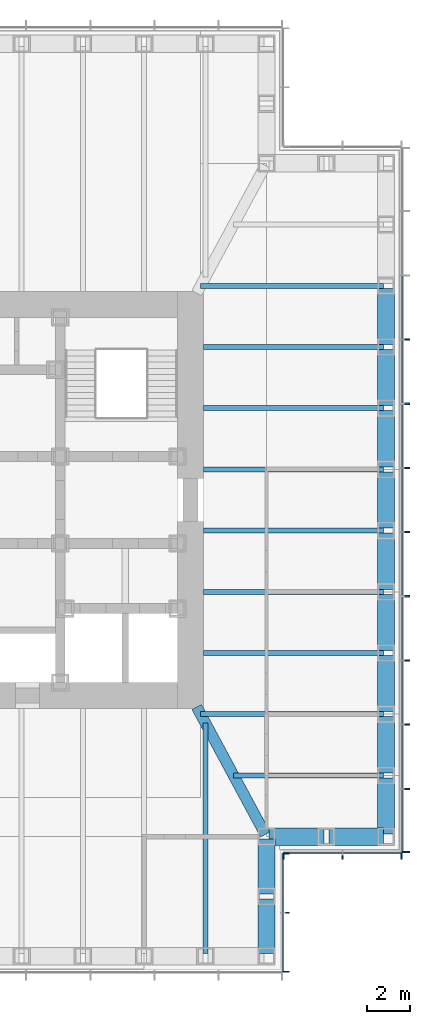
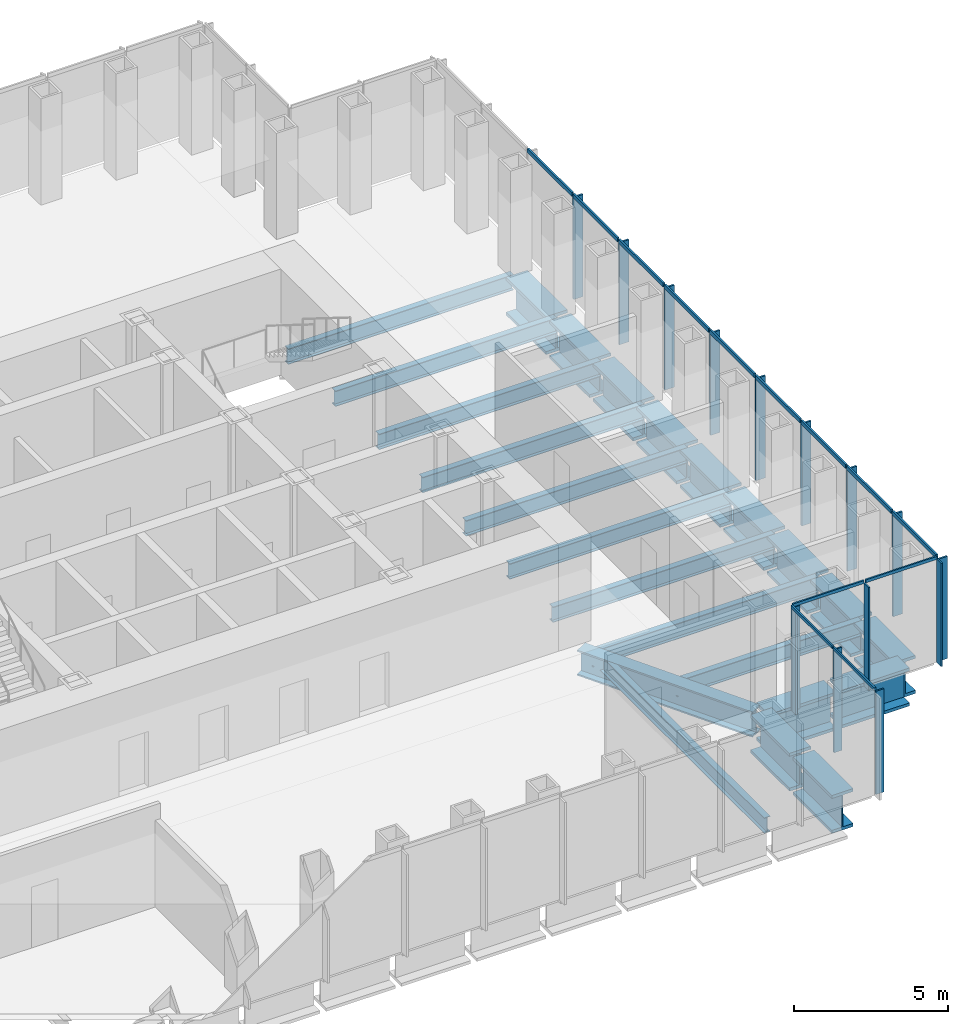
# One storey, part 4 of 16: 28 members, 24 beams, 3 elements without a shape of their own.
"""IFC4 building model written with IfcOpenShell, lengths in metres."""

import ifcopenshell
import ifcopenshell.guid

model = None  # the IFC model being written
_history = None  # IfcOwnerHistory: only IFC2X3 demands one
_inside = {}  # id of a spatial element -> (the spatial element, [elements in it])
_under = {}  # id of a project, library or spatial element -> (it, [spatial elements below it])
_declared = {}  # id of a project -> (the project, [libraries it declares])
_typed = {}  # id of a type object -> (the type object, [elements of that type])
_made_of = {}  # id of a material, layer set ... -> (it, [elements and type objects made of it])


def new_model(schema):
    """Start an empty IFC model of exactly this schema.

    Asked for "IFC4X3", IfcOpenShell would pick the latest addendum, in which some entities
    have other attributes; the version numbers below select the first issue.
    IFC2X3 requires an IfcOwnerHistory on every rooted entity: one is made here for all.
    """
    global model, _history
    if schema == "IFC4X3":
        model = ifcopenshell.file(schema_version=(4, 3, 0, 0))
    else:
        model = ifcopenshell.file(schema=schema)
    _inside.clear()
    _under.clear()
    _declared.clear()
    _typed.clear()
    _made_of.clear()
    _history = None
    if model.schema == "IFC2X3":
        org = make("IfcOrganization", Name="unknown")
        user = make(
            "IfcPersonAndOrganization",
            ThePerson=make("IfcPerson", FamilyName="unknown"),
            TheOrganization=org,
        )
        app = make(
            "IfcApplication",
            ApplicationDeveloper=org,
            Version="unknown",
            ApplicationFullName="unknown",
            ApplicationIdentifier="unknown",
        )
        _history = make(
            "IfcOwnerHistory",
            OwningUser=user,
            OwningApplication=app,
            ChangeAction="ADDED",
            CreationDate=0,
        )
    return model


def make(cls, **values):
    """One entity of the class cls with the attributes given. An attribute that is None is left unset."""
    return model.create_entity(
        cls, **{name: value for name, value in values.items() if value is not None}
    )


def rooted(cls, **values):
    """An entity with a GlobalId (a new one), such as an element, a storey or a relation."""
    return make(cls, GlobalId=ifcopenshell.guid.new(), OwnerHistory=_history, **values)


def si_unit(unit_type, name, prefix=None):
    """IfcSIUnit, for example si_unit("LENGTHUNIT", "METRE", prefix="MILLI")."""
    return make("IfcSIUnit", UnitType=unit_type, Prefix=prefix, Name=name)


def assignment(units):
    """IfcUnitAssignment: the units of a project."""
    return None if units is None else make("IfcUnitAssignment", Units=units)


def point(xyz):
    """IfcCartesianPoint."""
    return None if xyz is None else make("IfcCartesianPoint", Coordinates=xyz)


def direction(xyz):
    """IfcDirection."""
    return None if xyz is None else make("IfcDirection", DirectionRatios=xyz)


def frame(location, z_axis=None, x_axis=None):
    """IfcAxis2Placement3D, a coordinate frame: its origin and axes. An axis left out is left unset."""
    return make(
        "IfcAxis2Placement3D",
        Location=point(location),
        Axis=direction(z_axis),
        RefDirection=direction(x_axis),
    )


def frame_2d(location, x_axis=None):
    """IfcAxis2Placement2D, a coordinate frame in the plane: its origin and x axis."""
    return make(
        "IfcAxis2Placement2D", Location=point(location), RefDirection=direction(x_axis)
    )


def origin():
    """The frame at (0, 0, 0) with its axes left unset."""
    return frame((0.0, 0.0, 0.0))


def origin_2d():
    """The frame at (0, 0) in the plane with its x axis left unset."""
    return frame_2d((0.0, 0.0))


def place(relative_to, where):
    """IfcLocalPlacement: puts the frame where relative to a parent placement (None: the world)."""
    return make(
        "IfcLocalPlacement", PlacementRelTo=relative_to, RelativePlacement=where
    )


def context(
    kind, dimensions, precision=None, world=None, true_north=None, identifier=None
):
    """IfcGeometricRepresentationContext, for example the 3D "Model" context."""
    return make(
        "IfcGeometricRepresentationContext",
        ContextIdentifier=identifier,
        ContextType=kind,
        CoordinateSpaceDimension=dimensions,
        Precision=precision,
        WorldCoordinateSystem=world,
        TrueNorth=true_north,
    )


def subcontext(parent, identifier, kind, view, scale=None):
    """IfcGeometricRepresentationSubContext, for example "Body" below "Model"."""
    return make(
        "IfcGeometricRepresentationSubContext",
        ContextIdentifier=identifier,
        ContextType=kind,
        ParentContext=parent,
        TargetScale=scale,
        TargetView=view,
    )


def project(units=None, contexts=None):
    """IfcProject with its units and contexts."""
    return rooted(
        "IfcProject",
        Name="project",
        RepresentationContexts=contexts,
        UnitsInContext=assignment(units),
    )


def spatial(cls, under=None, at=None, **own):
    """A site, building, storey or space (cls), placed at a placement, below another one or the project."""
    s = rooted(cls, ObjectPlacement=at, **own)
    if under is not None:
        _under.setdefault(under.id(), (under, []))[1].append(s)
    return s


def profile(cls, at=None, kind="AREA", **sizes):
    """A parametric profile (cls). Its sizes go by their IFC names, for example OverallWidth=200.0."""
    return make(cls, ProfileType=kind, Position=at, **sizes)


def rectangle(**sizes):
    """IfcRectangleProfileDef."""
    return profile("IfcRectangleProfileDef", **sizes)


def i_section(**sizes):
    """IfcIShapeProfileDef."""
    return profile("IfcIShapeProfileDef", **sizes)


def extrude(swept, where, along, depth):
    """IfcExtrudedAreaSolid: the profile swept, set in the frame where, extruded along a direction by depth."""
    return make(
        "IfcExtrudedAreaSolid",
        SweptArea=swept,
        Position=where,
        ExtrudedDirection=direction(along),
        Depth=depth,
    )


def shape(context_of_items, identifier, shape_type, items):
    """IfcShapeRepresentation: the items that make up one representation, for example the "Body"."""
    return make(
        "IfcShapeRepresentation",
        ContextOfItems=context_of_items,
        RepresentationIdentifier=identifier,
        RepresentationType=shape_type,
        Items=items,
    )


def material(Name=None, Category=None):
    """IfcMaterial."""
    return make("IfcMaterial", Name=Name, Category=Category)


def material_profile(
    of_material, cross_section, Name=None, Category=None, Priority=None
):
    """IfcMaterialProfile: a cross section and its material."""
    return make(
        "IfcMaterialProfile",
        Name=Name,
        Material=of_material,
        Profile=cross_section,
        Priority=Priority,
        Category=Category,
    )


def profile_set(profiles, Name=None, composite=None):
    """IfcMaterialProfileSet."""
    return make(
        "IfcMaterialProfileSet",
        Name=Name,
        MaterialProfiles=profiles,
        CompositeProfile=composite,
    )


def made_of(thing, what):
    """Note that an element or type object is made of a material, layer set ...; save() writes the relation."""
    if what is not None:
        _made_of.setdefault(what.id(), (what, []))[1].append(thing)
    return thing


def type_object(cls, material=None, **own):
    """A type object (cls), such as IfcWallType, which elements share."""
    return made_of(rooted(cls, **own), material)


def element(
    cls,
    number,
    at=None,
    inside=None,
    cuts=None,
    type_object=None,
    material=None,
    context=None,
    identifier="Body",
    shape_type=None,
    held_by="IfcProductDefinitionShape",
    body=None,
    shapes=None,
    **own,
):
    """One element of the class cls, such as IfcWall. Its Tag is "e" and its number.

    at: its placement. inside: the storey or other place that contains it. cuts: it is an
    opening in that element (IfcRelVoidsElement). A single representation is given by context,
    identifier, shape_type and body (its items); several are given by shapes. held_by: the class
    of the entity that holds the representations. save() writes the other relations.
    """
    e = rooted(cls, Tag="e%d" % number, ObjectPlacement=at, **own)
    if body is not None:
        shapes = [shape(context, identifier, shape_type, body)]
    if shapes is not None:
        e.Representation = make(held_by, Representations=shapes)
    if inside is not None:
        _inside.setdefault(inside.id(), (inside, []))[1].append(e)
    if cuts is not None:
        rooted(
            "IfcRelVoidsElement", RelatingBuildingElement=cuts, RelatedOpeningElement=e
        )
    if type_object is not None:
        _typed.setdefault(type_object.id(), (type_object, []))[1].append(e)
    return made_of(e, material)


def aggregate(whole, parts):
    """IfcRelAggregates: a whole, such as a stair, and the parts it consists of."""
    return rooted("IfcRelAggregates", RelatingObject=whole, RelatedObjects=parts)


def save(model, path):
    """Write the relations noted so far, then the file.

    IfcRelAggregates (storeys below a building ...), IfcRelContainedInSpatialStructure (elements
    in a storey), IfcRelDefinesByType, IfcRelAssociatesMaterial and IfcRelDeclares: one each for
    every whole, place, type object, material and project.
    """
    for whole, parts in _under.values():
        aggregate(whole, parts)
    for where, things in _inside.values():
        rooted(
            "IfcRelContainedInSpatialStructure",
            RelatedElements=things,
            RelatingStructure=where,
        )
    for kind, things in _typed.values():
        rooted("IfcRelDefinesByType", RelatedObjects=things, RelatingType=kind)
    for what, things in _made_of.values():
        rooted("IfcRelAssociatesMaterial", RelatedObjects=things, RelatingMaterial=what)
    for by, libraries in _declared.values():
        rooted("IfcRelDeclares", RelatingContext=by, RelatedDefinitions=libraries)
    model.write(path)


model = new_model("IFC4")

# Units and contexts
model_context = context("Model", 3, precision=1e-05, world=origin(), true_north=direction((0.0, 1.0)))
body_context = subcontext(model_context, "Body", "Model", "MODEL_VIEW")
ifc_project = project(units=[si_unit("LENGTHUNIT", "METRE"), si_unit("AREAUNIT", "SQUARE_METRE"), si_unit("VOLUMEUNIT", "CUBIC_METRE"), si_unit("PLANEANGLEUNIT", "RADIAN"), si_unit("MASSUNIT", "GRAM", prefix="KILO")], contexts=[model_context])

# Site, building, storey
site_placement = place(None, origin())
site = spatial("IfcSite", under=ifc_project, at=site_placement, CompositionType="ELEMENT")
building_placement = place(site_placement, origin())
building = spatial("IfcBuilding", under=site, at=building_placement, Name="Daluyong Arena Tower", CompositionType="ELEMENT")
storey_placement = place(building_placement, frame((0.0, 0.0, 231.699951171875)))
storey = spatial("IfcBuildingStorey", under=building, at=storey_placement, Name="L52", CompositionType="ELEMENT", Elevation=231.699951171875)

# Curtain wall, members
ifc_material_1 = material(Name="Bronze anodised aluminium and glass", Category="aluminium")
curtain_wall_type_1 = type_object("IfcCurtainWallType", Name="Curtain wall CW3", PredefinedType="USERDEFINED", material=ifc_material_1)
curtain_wall_1_placement = place(storey_placement, origin())
curtain_wall_1 = element("IfcCurtainWall", 1, at=curtain_wall_1_placement, inside=storey, type_object=curtain_wall_type_1, Name="curtain wall L52 E", ObjectType="UNITISED CURTAIN WALL", PredefinedType="USERDEFINED")
ifc_material_2 = material(Name="Bronze anodised aluminium fin", Category="aluminium")
ifc_material_profile_1 = material_profile(ifc_material_2, rectangle(XDim=0.35009765625, YDim=0.070068359375, at=origin_2d()))
ifc_profile_set_1 = profile_set([ifc_material_profile_1], Name="Bronze anodised aluminium fin")
member_type_1 = type_object("IfcMemberType", Name="CW3 bronze fin 350x70", PredefinedType="MULLION", material=ifc_profile_set_1)
member_1_placement = place(storey_placement, frame((77.925048828125, 63.784912109375, 0.0), z_axis=(0.0, 0.0, 1.0), x_axis=(-1.0, 0.0, 0.0)))
member_1 = element("IfcMember", 2, at=member_1_placement, type_object=member_type_1, Name="curtain wall L52 E fin 1", PredefinedType="MULLION", context=body_context, shape_type="SweptSolid", body=[
    extrude(rectangle(XDim=0.35009765625, YDim=0.070068359375, at=origin_2d()), origin(), (0.0, 0.0, 1.0), 4.0400390625),
])
member_2_placement = place(storey_placement, frame((77.925048828125, 66.70458984375, 0.0), z_axis=(0.0, 0.0, 1.0), x_axis=(-1.0, 0.0, 0.0)))
member_2 = element("IfcMember", 3, at=member_2_placement, type_object=member_type_1, Name="curtain wall L52 E fin 2", PredefinedType="MULLION", context=body_context, shape_type="SweptSolid", body=[
    extrude(rectangle(XDim=0.35009765625, YDim=0.070068359375, at=origin_2d()), origin(), (0.0, 0.0, 1.0), 4.0400390625),
])
member_3_placement = place(storey_placement, frame((77.925048828125, 69.6591796875, 0.0), z_axis=(0.0, 0.0, 1.0), x_axis=(-1.0, 0.0, 0.0)))
member_3 = element("IfcMember", 4, at=member_3_placement, type_object=member_type_1, Name="curtain wall L52 E fin 3", PredefinedType="MULLION", context=body_context, shape_type="SweptSolid", body=[
    extrude(rectangle(XDim=0.35009765625, YDim=0.070068359375, at=origin_2d()), origin(), (0.0, 0.0, 1.0), 4.0400390625),
])
member_4_placement = place(storey_placement, frame((77.925048828125, 72.613525390625, 0.0), z_axis=(0.0, 0.0, 1.0), x_axis=(-1.0, 0.0, 0.0)))
member_4 = element("IfcMember", 5, at=member_4_placement, type_object=member_type_1, Name="curtain wall L52 E fin 4", PredefinedType="MULLION", context=body_context, shape_type="SweptSolid", body=[
    extrude(rectangle(XDim=0.35009765625, YDim=0.070068359375, at=origin_2d()), origin(), (0.0, 0.0, 1.0), 4.0400390625),
])
member_5_placement = place(storey_placement, frame((77.925048828125, 75.568115234375, 0.0), z_axis=(0.0, 0.0, 1.0), x_axis=(-1.0, 0.0, 0.0)))
member_5 = element("IfcMember", 6, at=member_5_placement, type_object=member_type_1, Name="curtain wall L52 E fin 5", PredefinedType="MULLION", context=body_context, shape_type="SweptSolid", body=[
    extrude(rectangle(XDim=0.35009765625, YDim=0.070068359375, at=origin_2d()), origin(), (0.0, 0.0, 1.0), 4.0400390625),
])
member_6_placement = place(storey_placement, frame((77.925048828125, 78.522705078125, 0.0), z_axis=(0.0, 0.0, 1.0), x_axis=(-1.0, 0.0, 0.0)))
member_6 = element("IfcMember", 7, at=member_6_placement, type_object=member_type_1, Name="curtain wall L52 E fin 6", PredefinedType="MULLION", context=body_context, shape_type="SweptSolid", body=[
    extrude(rectangle(XDim=0.35009765625, YDim=0.070068359375, at=origin_2d()), origin(), (0.0, 0.0, 1.0), 4.0400390625),
])
member_7_placement = place(storey_placement, frame((77.925048828125, 81.477294921875, 0.0), z_axis=(0.0, 0.0, 1.0), x_axis=(-1.0, 0.0, 0.0)))
member_7 = element("IfcMember", 8, at=member_7_placement, type_object=member_type_1, Name="curtain wall L52 E fin 7", PredefinedType="MULLION", context=body_context, shape_type="SweptSolid", body=[
    extrude(rectangle(XDim=0.35009765625, YDim=0.070068359375, at=origin_2d()), origin(), (0.0, 0.0, 1.0), 4.0400390625),
])
member_8_placement = place(storey_placement, frame((77.925048828125, 84.431884765625, 0.0), z_axis=(0.0, 0.0, 1.0), x_axis=(-1.0, 0.0, 0.0)))
member_8 = element("IfcMember", 9, at=member_8_placement, type_object=member_type_1, Name="curtain wall L52 E fin 8", PredefinedType="MULLION", context=body_context, shape_type="SweptSolid", body=[
    extrude(rectangle(XDim=0.35009765625, YDim=0.070068359375, at=origin_2d()), origin(), (0.0, 0.0, 1.0), 4.0400390625),
])
member_9_placement = place(storey_placement, frame((77.925048828125, 87.386474609375, 0.0), z_axis=(0.0, 0.0, 1.0), x_axis=(-1.0, 0.0, 0.0)))
member_9 = element("IfcMember", 10, at=member_9_placement, type_object=member_type_1, Name="curtain wall L52 E fin 9", PredefinedType="MULLION", context=body_context, shape_type="SweptSolid", body=[
    extrude(rectangle(XDim=0.35009765625, YDim=0.070068359375, at=origin_2d()), origin(), (0.0, 0.0, 1.0), 4.0400390625),
])
ifc_material_3 = material(Name="Bronze anodised aluminium", Category="aluminium")
ifc_material_profile_2 = material_profile(ifc_material_3, rectangle(XDim=0.070068359375, YDim=0.159912109375, at=origin_2d()))
ifc_profile_set_2 = profile_set([ifc_material_profile_2], Name="Bronze anodised aluminium")
member_type_2 = type_object("IfcMemberType", Name="CW3 stack transom 160x70", PredefinedType="USERDEFINED", material=ifc_profile_set_2)
member_10_placement = place(storey_placement, frame((77.75, 63.820068359375, 4.1201171875), z_axis=(0.0, 1.0, 0.0), x_axis=(-1.0, 0.0, 0.0)))
member_10 = element("IfcMember", 11, at=member_10_placement, type_object=member_type_2, Name="curtain wall L52 E transom 1", ObjectType="TRANSOM", PredefinedType="USERDEFINED", context=body_context, shape_type="SweptSolid", body=[
    extrude(rectangle(XDim=0.070068359375, YDim=0.159912109375, at=origin_2d()), origin(), (0.0, 0.0, 1.0), 2.849365234375),
])
member_11_placement = place(storey_placement, frame((77.75, 66.739501953125, 4.1201171875), z_axis=(0.0, 1.0, 0.0), x_axis=(-1.0, 0.0, 0.0)))
member_11 = element("IfcMember", 12, at=member_11_placement, type_object=member_type_2, Name="curtain wall L52 E transom 2", ObjectType="TRANSOM", PredefinedType="USERDEFINED", context=body_context, shape_type="SweptSolid", body=[
    extrude(rectangle(XDim=0.070068359375, YDim=0.159912109375, at=origin_2d()), origin(), (0.0, 0.0, 1.0), 2.884521484375),
])
member_12_placement = place(storey_placement, frame((77.75, 69.694091796875, 4.1201171875), z_axis=(0.0, 1.0, 0.0), x_axis=(-1.0, 0.0, 0.0)))
member_12 = element("IfcMember", 13, at=member_12_placement, type_object=member_type_2, Name="curtain wall L52 E transom 3", ObjectType="TRANSOM", PredefinedType="USERDEFINED", context=body_context, shape_type="SweptSolid", body=[
    extrude(rectangle(XDim=0.070068359375, YDim=0.159912109375, at=origin_2d()), origin(), (0.0, 0.0, 1.0), 2.884521484375),
])
member_13_placement = place(storey_placement, frame((77.75, 72.648681640625, 4.1201171875), z_axis=(0.0, 1.0, 0.0), x_axis=(-1.0, 0.0, 0.0)))
member_13 = element("IfcMember", 14, at=member_13_placement, type_object=member_type_2, Name="curtain wall L52 E transom 4", ObjectType="TRANSOM", PredefinedType="USERDEFINED", context=body_context, shape_type="SweptSolid", body=[
    extrude(rectangle(XDim=0.070068359375, YDim=0.159912109375, at=origin_2d()), origin(), (0.0, 0.0, 1.0), 2.884521484375),
])
member_14_placement = place(storey_placement, frame((77.75, 75.603271484375, 4.1201171875), z_axis=(0.0, 1.0, 0.0), x_axis=(-1.0, 0.0, 0.0)))
member_14 = element("IfcMember", 15, at=member_14_placement, type_object=member_type_2, Name="curtain wall L52 E transom 5", ObjectType="TRANSOM", PredefinedType="USERDEFINED", context=body_context, shape_type="SweptSolid", body=[
    extrude(rectangle(XDim=0.070068359375, YDim=0.159912109375, at=origin_2d()), origin(), (0.0, 0.0, 1.0), 2.884521484375),
])
member_15_placement = place(storey_placement, frame((77.75, 78.5576171875, 4.1201171875), z_axis=(0.0, 1.0, 0.0), x_axis=(-1.0, 0.0, 0.0)))
member_15 = element("IfcMember", 16, at=member_15_placement, type_object=member_type_2, Name="curtain wall L52 E transom 6", ObjectType="TRANSOM", PredefinedType="USERDEFINED", context=body_context, shape_type="SweptSolid", body=[
    extrude(rectangle(XDim=0.070068359375, YDim=0.159912109375, at=origin_2d()), origin(), (0.0, 0.0, 1.0), 2.884765625),
])
member_16_placement = place(storey_placement, frame((77.75, 81.51220703125, 4.1201171875), z_axis=(0.0, 1.0, 0.0), x_axis=(-1.0, 0.0, 0.0)))
member_16 = element("IfcMember", 17, at=member_16_placement, type_object=member_type_2, Name="curtain wall L52 E transom 7", ObjectType="TRANSOM", PredefinedType="USERDEFINED", context=body_context, shape_type="SweptSolid", body=[
    extrude(rectangle(XDim=0.070068359375, YDim=0.159912109375, at=origin_2d()), origin(), (0.0, 0.0, 1.0), 2.884521484375),
])
member_17_placement = place(storey_placement, frame((77.75, 84.466796875, 4.1201171875), z_axis=(0.0, 1.0, 0.0), x_axis=(-1.0, 0.0, 0.0)))
member_17 = element("IfcMember", 18, at=member_17_placement, type_object=member_type_2, Name="curtain wall L52 E transom 8", ObjectType="TRANSOM", PredefinedType="USERDEFINED", context=body_context, shape_type="SweptSolid", body=[
    extrude(rectangle(XDim=0.070068359375, YDim=0.159912109375, at=origin_2d()), origin(), (0.0, 0.0, 1.0), 2.884521484375),
])
member_18_placement = place(storey_placement, frame((77.75, 87.42138671875, 4.1201171875), z_axis=(0.0, 1.0, 0.0), x_axis=(-1.0, 0.0, 0.0)))
member_18 = element("IfcMember", 19, at=member_18_placement, type_object=member_type_2, Name="curtain wall L52 E transom 9", ObjectType="TRANSOM", PredefinedType="USERDEFINED", context=body_context, shape_type="SweptSolid", body=[
    extrude(rectangle(XDim=0.070068359375, YDim=0.159912109375, at=origin_2d()), origin(), (0.0, 0.0, 1.0), 2.884521484375),
])
aggregate(curtain_wall_1, [member_1, member_2, member_3, member_4, member_5, member_6, member_7, member_8, member_9, member_10, member_11, member_12, member_13, member_14, member_15, member_16, member_17, member_18])

ifc_material_4 = material(Name="Bronze anodised aluminium and glass", Category="aluminium")
curtain_wall_type_2 = type_object("IfcCurtainWallType", Name="Curtain wall CW7", PredefinedType="USERDEFINED", material=ifc_material_4)
curtain_wall_2_placement = place(storey_placement, origin())
curtain_wall_2 = element("IfcCurtainWall", 20, at=curtain_wall_2_placement, inside=storey, type_object=curtain_wall_type_2, Name="curtain wall L52 SE-E", ObjectType="UNITISED CURTAIN WALL", PredefinedType="USERDEFINED")
ifc_material_5 = material(Name="Bronze anodised aluminium fin", Category="aluminium")
ifc_material_profile_3 = material_profile(ifc_material_5, rectangle(XDim=0.300048828125, YDim=0.06005859375, at=origin_2d()))
ifc_profile_set_3 = profile_set([ifc_material_profile_3], Name="Bronze anodised aluminium fin")
member_type_3 = type_object("IfcMemberType", Name="CW7 bronze fin 300x60", PredefinedType="MULLION", material=ifc_profile_set_3)
member_19_placement = place(storey_placement, frame((72.39990234375, 58.280029296875, 0.0), z_axis=(0.0, 0.0, 1.0), x_axis=(-1.0, 0.0, 0.0)))
member_19 = element("IfcMember", 21, at=member_19_placement, type_object=member_type_3, Name="curtain wall L52 SE-E fin 1", PredefinedType="MULLION", context=body_context, shape_type="SweptSolid", body=[
    extrude(rectangle(XDim=0.300048828125, YDim=0.06005859375, at=origin_2d()), origin(), (0.0, 0.0, 1.0), 4.080078125),
])
member_20_placement = place(storey_placement, frame((72.39990234375, 61.0, 0.0), z_axis=(0.0, 0.0, 1.0), x_axis=(-1.0, 0.0, 0.0)))
member_20 = element("IfcMember", 22, at=member_20_placement, type_object=member_type_3, Name="curtain wall L52 SE-E fin 2", PredefinedType="MULLION", context=body_context, shape_type="SweptSolid", body=[
    extrude(rectangle(XDim=0.300048828125, YDim=0.06005859375, at=origin_2d()), origin(), (0.0, 0.0, 1.0), 4.080078125),
])
member_21_placement = place(storey_placement, frame((72.39990234375, 63.719970703125, 0.0), z_axis=(0.0, 0.0, 1.0), x_axis=(-1.0, 0.0, 0.0)))
member_21 = element("IfcMember", 23, at=member_21_placement, type_object=member_type_3, Name="curtain wall L52 SE-E fin 3", PredefinedType="MULLION", context=body_context, shape_type="SweptSolid", body=[
    extrude(rectangle(XDim=0.300048828125, YDim=0.06005859375, at=origin_2d()), origin(), (0.0, 0.0, 1.0), 4.080078125),
])

curtain_wall_3_placement = place(storey_placement, origin())
curtain_wall_3 = element("IfcCurtainWall", 24, at=curtain_wall_3_placement, inside=storey, type_object=curtain_wall_type_2, Name="curtain wall L52 SE-S", ObjectType="UNITISED CURTAIN WALL", PredefinedType="USERDEFINED")
member_22_placement = place(storey_placement, frame((72.280029296875, 63.60009765625, 0.0), z_axis=(0.0, 0.0, 1.0), x_axis=(0.0, 1.0, 0.0)))
member_22 = element("IfcMember", 25, at=member_22_placement, type_object=member_type_3, Name="curtain wall L52 SE-S fin 1", PredefinedType="MULLION", context=body_context, shape_type="SweptSolid", body=[
    extrude(rectangle(XDim=0.300048828125, YDim=0.06005859375, at=origin_2d()), origin(), (0.0, 0.0, 1.0), 4.080078125),
])
member_23_placement = place(storey_placement, frame((75.0, 63.60009765625, 0.0), z_axis=(0.0, 0.0, 1.0), x_axis=(0.0, 1.0, 0.0)))
member_23 = element("IfcMember", 26, at=member_23_placement, type_object=member_type_3, Name="curtain wall L52 SE-S fin 2", PredefinedType="MULLION", context=body_context, shape_type="SweptSolid", body=[
    extrude(rectangle(XDim=0.300048828125, YDim=0.06005859375, at=origin_2d()), origin(), (0.0, 0.0, 1.0), 4.080078125),
])
member_24_placement = place(storey_placement, frame((77.719970703125, 63.60009765625, 0.0), z_axis=(0.0, 0.0, 1.0), x_axis=(0.0, 1.0, 0.0)))
member_24 = element("IfcMember", 27, at=member_24_placement, type_object=member_type_3, Name="curtain wall L52 SE-S fin 3", PredefinedType="MULLION", context=body_context, shape_type="SweptSolid", body=[
    extrude(rectangle(XDim=0.300048828125, YDim=0.06005859375, at=origin_2d()), origin(), (0.0, 0.0, 1.0), 4.080078125),
])

# Member
ifc_material_6 = material(Name="Bronze anodised aluminium", Category="aluminium")
ifc_material_profile_4 = material_profile(ifc_material_6, rectangle(XDim=0.06005859375, YDim=0.1201171875, at=origin_2d()))
ifc_profile_set_4 = profile_set([ifc_material_profile_4], Name="Bronze anodised aluminium")
member_type_4 = type_object("IfcMemberType", Name="CW7 stack transom 120x60", PredefinedType="USERDEFINED", material=ifc_profile_set_4)
member_25_placement = place(storey_placement, frame((72.25, 58.31005859375, 4.14013671875), z_axis=(0.0, 1.0, 0.0), x_axis=(-1.0, 0.0, 0.0)))
member_25 = element("IfcMember", 28, at=member_25_placement, type_object=member_type_4, Name="curtain wall L52 SE-E transom 1", ObjectType="TRANSOM", PredefinedType="USERDEFINED", context=body_context, shape_type="SweptSolid", body=[
    extrude(rectangle(XDim=0.06005859375, YDim=0.1201171875, at=origin_2d()), origin(), (0.0, 0.0, 1.0), 2.659912109375),
])

member_26_placement = place(storey_placement, frame((72.25, 61.030029296875, 4.14013671875), z_axis=(0.0, 1.0, 0.0), x_axis=(-1.0, 0.0, 0.0)))
member_26 = element("IfcMember", 29, at=member_26_placement, type_object=member_type_4, Name="curtain wall L52 SE-E transom 2", ObjectType="TRANSOM", PredefinedType="USERDEFINED", context=body_context, shape_type="SweptSolid", body=[
    extrude(rectangle(XDim=0.06005859375, YDim=0.1201171875, at=origin_2d()), origin(), (0.0, 0.0, 1.0), 2.659912109375),
])

aggregate(curtain_wall_2, [member_19, member_20, member_21, member_25, member_26])

member_27_placement = place(storey_placement, frame((72.31005859375, 63.75, 4.14013671875), z_axis=(1.0, 0.0, 0.0), x_axis=(0.0, 1.0, 0.0)))
member_27 = element("IfcMember", 30, at=member_27_placement, type_object=member_type_4, Name="curtain wall L52 SE-S transom 1", ObjectType="TRANSOM", PredefinedType="USERDEFINED", context=body_context, shape_type="SweptSolid", body=[
    extrude(rectangle(XDim=0.06005859375, YDim=0.1201171875, at=origin_2d()), origin(), (0.0, 0.0, 1.0), 2.659912109375),
])

member_28_placement = place(storey_placement, frame((75.030029296875, 63.75, 4.14013671875), z_axis=(1.0, 0.0, 0.0), x_axis=(0.0, 1.0, 0.0)))
member_28 = element("IfcMember", 31, at=member_28_placement, type_object=member_type_4, Name="curtain wall L52 SE-S transom 2", ObjectType="TRANSOM", PredefinedType="USERDEFINED", context=body_context, shape_type="SweptSolid", body=[
    extrude(rectangle(XDim=0.06005859375, YDim=0.1201171875, at=origin_2d()), origin(), (0.0, 0.0, 1.0), 2.659912109375),
])

aggregate(curtain_wall_3, [member_22, member_23, member_24, member_27, member_28])

# Beams
ifc_material_7 = material(Name="Steel ASTM A572 Grade 50", Category="steel")
ifc_material_profile_5 = material_profile(ifc_material_7, i_section(OverallWidth=0.5, OverallDepth=1.0, WebThickness=0.03, FlangeThickness=0.06, at=origin_2d()))
ifc_profile_set_5 = profile_set([ifc_material_profile_5], Name="Steel ASTM A572 Grade 50")
beam_type_1 = type_object("IfcBeamType", Name="Corner girder TB1000X500", PredefinedType="BEAM", material=ifc_profile_set_5)
beam_1_placement = place(storey_placement, frame((71.445556640625, 64.601318359375, -0.659912109375), z_axis=(-0.474119475266, 0.880460517669, 0.0), x_axis=(-0.880460517669, -0.474119475266, 0.0)))
element("IfcBeam", 32, at=beam_1_placement, inside=storey, type_object=beam_type_1, Name="corner girder DG2", PredefinedType="BEAM", context=body_context, shape_type="SweptSolid", body=[
    extrude(i_section(OverallWidth=0.5, OverallDepth=1.0, WebThickness=0.03, FlangeThickness=0.06, at=origin_2d()), origin(), (0.0, 0.0, 1.0), 6.66748046875),
])
ifc_material_8 = material(Name="Steel ASTM A992 Grade 50", Category="steel")
ifc_material_profile_6 = material_profile(ifc_material_8, i_section(OverallWidth=0.22900390625, OverallDepth=0.612060546875, WebThickness=0.011962890625, FlangeThickness=0.01953125, at=origin_2d()))
ifc_profile_set_6 = profile_set([ifc_material_profile_6], Name="Steel ASTM A992 Grade 50")
beam_type_2 = type_object("IfcBeamType", Name="Floor beam W24X84", PredefinedType="BEAM", material=ifc_profile_set_6)
beam_2_placement = place(storey_placement, frame((68.681884765625, 59.114990234375, -0.466064453125), z_axis=(0.0, 1.0, 0.0), x_axis=(-1.0, 0.0, 0.0)))
element("IfcBeam", 33, at=beam_2_placement, inside=storey, type_object=beam_type_2, Name="floor beam FB3", PredefinedType="BEAM", context=body_context, shape_type="SweptSolid", body=[
    extrude(i_section(OverallWidth=0.22900390625, OverallDepth=0.612060546875, WebThickness=0.011962890625, FlangeThickness=0.01953125, at=origin_2d()), origin(), (0.0, 0.0, 1.0), 10.618896484375),
])
beam_3_placement = place(storey_placement, frame((76.885009765625, 67.318115234375, -0.466064453125), z_axis=(-1.0, 0.0, 0.0), x_axis=(0.0, -1.0, 0.0)))
element("IfcBeam", 34, at=beam_3_placement, inside=storey, type_object=beam_type_2, Name="floor beam FB3", PredefinedType="BEAM", context=body_context, shape_type="SweptSolid", body=[
    extrude(i_section(OverallWidth=0.22900390625, OverallDepth=0.612060546875, WebThickness=0.011962890625, FlangeThickness=0.01953125, at=origin_2d()), origin(), (0.0, 0.0, 1.0), 6.902587890625),
])
beam_4_placement = place(storey_placement, frame((76.885009765625, 70.136474609375, -0.466064453125), z_axis=(-1.0, 0.0, 0.0), x_axis=(0.0, -1.0, 0.0)))
element("IfcBeam", 35, at=beam_4_placement, inside=storey, type_object=beam_type_2, Name="floor beam FB3", PredefinedType="BEAM", context=body_context, shape_type="SweptSolid", body=[
    extrude(i_section(OverallWidth=0.22900390625, OverallDepth=0.612060546875, WebThickness=0.011962890625, FlangeThickness=0.01953125, at=origin_2d()), origin(), (0.0, 0.0, 1.0), 8.419921875),
])
for number, where, z_axis, x_axis, name in (
    (36, (76.885009765625, 72.95458984375, -0.466064453125), (-1.0, 0.0, 0.0), (0.0, -1.0, 0.0), "floor beam FB3"),
    (37, (76.885009765625, 75.772705078125, -0.466064453125), (-1.0, 0.0, 0.0), (0.0, -1.0, 0.0), "floor beam FB3"),
    (38, (76.885009765625, 78.5908203125, -0.466064453125), (-1.0, 0.0, 0.0), (0.0, -1.0, 0.0), "floor beam FB3"),
    (39, (76.885009765625, 81.4091796875, -0.466064453125), (-1.0, 0.0, 0.0), (0.0, -1.0, 0.0), "floor beam FB3"),
    (40, (76.885009765625, 84.227294921875, -0.466064453125), (-1.0, 0.0, 0.0), (0.0, -1.0, 0.0), "floor beam FB3"),
    (41, (76.885009765625, 87.04541015625, -0.466064453125), (-1.0, 0.0, 0.0), (0.0, -1.0, 0.0), "floor beam FB3"),
):
    element("IfcBeam", number, at=place(storey_placement, frame(where, z_axis=z_axis, x_axis=x_axis)), inside=storey, type_object=beam_type_2, Name=name, PredefinedType="BEAM", context=body_context, shape_type="SweptSolid", body=[
        extrude(i_section(OverallWidth=0.22900390625, OverallDepth=0.612060546875, WebThickness=0.011962890625, FlangeThickness=0.01953125, at=origin_2d()), origin(), (0.0, 0.0, 1.0), 8.284912109375),
    ])
beam_5_placement = place(storey_placement, frame((76.885009765625, 89.863525390625, -0.466064453125), z_axis=(-1.0, 0.0, 0.0), x_axis=(0.0, -1.0, 0.0)))
element("IfcBeam", 42, at=beam_5_placement, inside=storey, type_object=beam_type_2, Name="floor beam FB3", PredefinedType="BEAM", context=body_context, shape_type="SweptSolid", body=[
    extrude(i_section(OverallWidth=0.22900390625, OverallDepth=0.612060546875, WebThickness=0.011962890625, FlangeThickness=0.01953125, at=origin_2d()), origin(), (0.0, 0.0, 1.0), 8.419921875),
])
ifc_material_9 = material(Name="Steel ASTM A588 Grade 50", Category="steel")
ifc_material_profile_7 = material_profile(ifc_material_9, i_section(OverallWidth=0.800048828125, OverallDepth=1.5, WebThickness=0.05, FlangeThickness=0.12, at=origin_2d()))
ifc_profile_set_7 = profile_set([ifc_material_profile_7], Name="Steel ASTM A588 Grade 50")
beam_type_3 = type_object("IfcBeamType", Name="Spandrel Z3 PG1500X800", PredefinedType="SPANDREL", material=ifc_profile_set_7)
for number, where, z_axis, x_axis, name in (
    (43, (71.5, 59.114990234375, -0.909912109375), (0.0, 1.0, 0.0), (-1.0, 0.0, 0.0), "spandrel z3 SB7"),
    (44, (71.5, 61.864990234375, -0.909912109375), (0.0, 1.0, 0.0), (-1.0, 0.0, 0.0), "spandrel z3 SB7"),
    (45, (71.614990234375, 64.5, -0.909912109375), (1.0, 0.0, 0.0), (0.0, 1.0, 0.0), "spandrel z3 SB7"),
    (46, (74.364990234375, 64.5, -0.909912109375), (1.0, 0.0, 0.0), (0.0, 1.0, 0.0), "spandrel z3 SB7"),
):
    element("IfcBeam", number, at=place(storey_placement, frame(where, z_axis=z_axis, x_axis=x_axis)), inside=storey, type_object=beam_type_3, Name=name, PredefinedType="SPANDREL", context=body_context, shape_type="SweptSolid", body=[
        extrude(i_section(OverallWidth=0.800048828125, OverallDepth=1.5, WebThickness=0.05, FlangeThickness=0.12, at=origin_2d()), origin(), (0.0, 0.0, 1.0), 2.52001953125),
    ])
beam_6_placement = place(storey_placement, frame((77.0, 64.614990234375, -0.909912109375), z_axis=(0.0, 1.0, 0.0), x_axis=(-1.0, 0.0, 0.0)))
element("IfcBeam", 47, at=beam_6_placement, inside=storey, type_object=beam_type_3, Name="spandrel z3 SB7", PredefinedType="SPANDREL", context=body_context, shape_type="SweptSolid", body=[
    extrude(i_section(OverallWidth=0.800048828125, OverallDepth=1.5, WebThickness=0.05, FlangeThickness=0.12, at=origin_2d()), origin(), (0.0, 0.0, 1.0), 2.588134765625),
])
beam_7_placement = place(storey_placement, frame((77.0, 67.43310546875, -0.909912109375), z_axis=(0.0, 1.0, 0.0), x_axis=(-1.0, 0.0, 0.0)))
element("IfcBeam", 48, at=beam_7_placement, inside=storey, type_object=beam_type_3, Name="spandrel z3 SB7", PredefinedType="SPANDREL", context=body_context, shape_type="SweptSolid", body=[
    extrude(i_section(OverallWidth=0.800048828125, OverallDepth=1.5, WebThickness=0.05, FlangeThickness=0.12, at=origin_2d()), origin(), (0.0, 0.0, 1.0), 2.58837890625),
])
for number, where, z_axis, x_axis, name in (
    (49, (77.0, 70.25146484375, -0.909912109375), (0.0, 1.0, 0.0), (-1.0, 0.0, 0.0), "spandrel z3 SB7"),
    (50, (77.0, 73.069580078125, -0.909912109375), (0.0, 1.0, 0.0), (-1.0, 0.0, 0.0), "spandrel z3 SB7"),
    (51, (77.0, 75.8876953125, -0.909912109375), (0.0, 1.0, 0.0), (-1.0, 0.0, 0.0), "spandrel z3 SB7"),
):
    element("IfcBeam", number, at=place(storey_placement, frame(where, z_axis=z_axis, x_axis=x_axis)), inside=storey, type_object=beam_type_3, Name=name, PredefinedType="SPANDREL", context=body_context, shape_type="SweptSolid", body=[
        extrude(i_section(OverallWidth=0.800048828125, OverallDepth=1.5, WebThickness=0.05, FlangeThickness=0.12, at=origin_2d()), origin(), (0.0, 0.0, 1.0), 2.588134765625),
    ])
beam_8_placement = place(storey_placement, frame((77.0, 78.705810546875, -0.909912109375), z_axis=(0.0, 1.0, 0.0), x_axis=(-1.0, 0.0, 0.0)))
element("IfcBeam", 52, at=beam_8_placement, inside=storey, type_object=beam_type_3, Name="spandrel z3 SB7", PredefinedType="SPANDREL", context=body_context, shape_type="SweptSolid", body=[
    extrude(i_section(OverallWidth=0.800048828125, OverallDepth=1.5, WebThickness=0.05, FlangeThickness=0.12, at=origin_2d()), origin(), (0.0, 0.0, 1.0), 2.58837890625),
])
for number, where, z_axis, x_axis, name in (
    (53, (77.0, 81.524169921875, -0.909912109375), (0.0, 1.0, 0.0), (-1.0, 0.0, 0.0), "spandrel z3 SB7"),
    (54, (77.0, 84.34228515625, -0.909912109375), (0.0, 1.0, 0.0), (-1.0, 0.0, 0.0), "spandrel z3 SB7"),
    (55, (77.0, 87.160400390625, -0.909912109375), (0.0, 1.0, 0.0), (-1.0, 0.0, 0.0), "spandrel z3 SB7"),
):
    element("IfcBeam", number, at=place(storey_placement, frame(where, z_axis=z_axis, x_axis=x_axis)), inside=storey, type_object=beam_type_3, Name=name, PredefinedType="SPANDREL", context=body_context, shape_type="SweptSolid", body=[
        extrude(i_section(OverallWidth=0.800048828125, OverallDepth=1.5, WebThickness=0.05, FlangeThickness=0.12, at=origin_2d()), origin(), (0.0, 0.0, 1.0), 2.588134765625),
    ])

save(model, "model.ifc")
